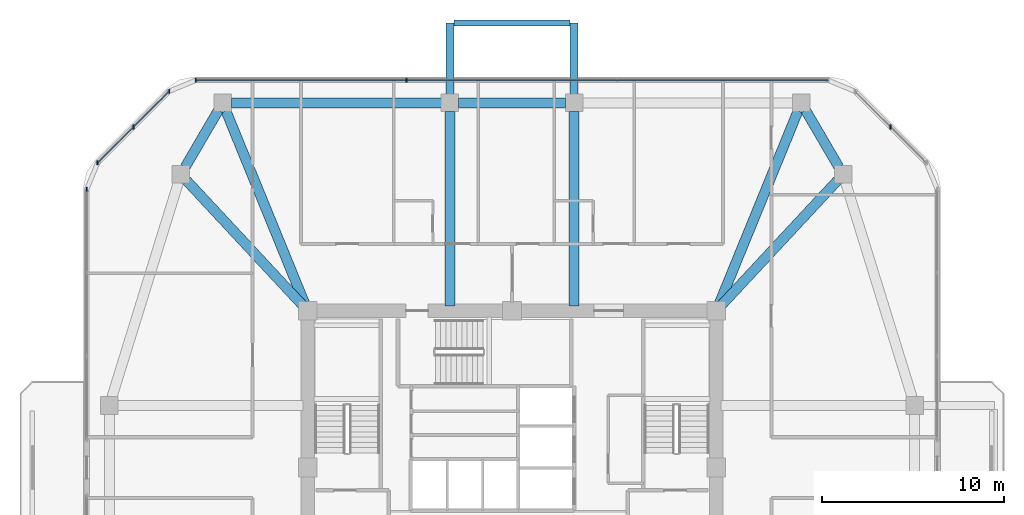
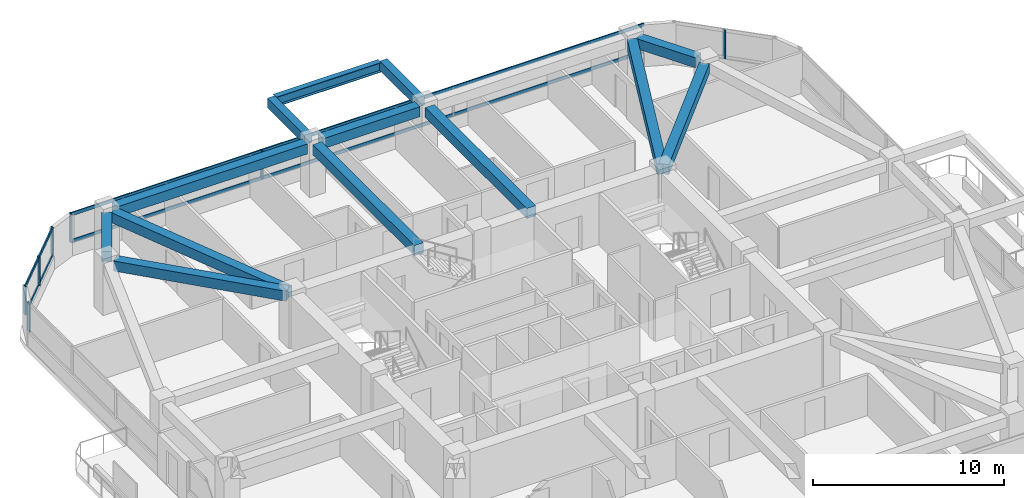
# One storey, part 5 of 13: 13 beams, 11 members, 4 elements without a shape of their own.
"""IFC4 building model written with IfcOpenShell, lengths in metres."""

from ifc_helpers import new_model, si_unit, derived_unit, direction, frame, origin, origin_2d, place, context, subcontext, project, spatial, rectangle, i_section, extrude, material, material_profile, profile_set, type_object, element, aggregate, save


model = new_model("IFC4")

# Units and contexts
model_context = context("Model", 3, precision=1e-05, world=origin(), true_north=direction((0.0, 1.0)))
body_context = subcontext(model_context, "Body", "Model", "MODEL_VIEW")
ifc_project = project(units=[si_unit("LENGTHUNIT", "METRE"), si_unit("AREAUNIT", "SQUARE_METRE"), si_unit("VOLUMEUNIT", "CUBIC_METRE"), si_unit("PLANEANGLEUNIT", "RADIAN"), si_unit("MASSUNIT", "GRAM", prefix="KILO"), derived_unit("THERMALTRANSMITTANCEUNIT", [(si_unit("POWERUNIT", "WATT"), 1), (si_unit("LENGTHUNIT", "METRE"), -2), (si_unit("THERMODYNAMICTEMPERATUREUNIT", "KELVIN"), -1)])], contexts=[model_context])

# Site, building, storey
site_placement = place(None, origin())
site = spatial("IfcSite", under=ifc_project, at=site_placement, CompositionType="ELEMENT")
building_placement = place(site_placement, origin())
building = spatial("IfcBuilding", under=site, at=building_placement, Name="Koralith Skygarden Medical Center", CompositionType="ELEMENT")
storey_placement = place(building_placement, frame((0.0, 0.0, 142.02001953125)))
storey = spatial("IfcBuildingStorey", under=building, at=storey_placement, Name="L36", CompositionType="ELEMENT", Elevation=142.02001953125)

# Curtain wall, member
ifc_material_1 = material(Name="Clear Laminated Glass", Category="glass")
curtain_wall_type = type_object("IfcCurtainWallType", Name="CW-4 Zone 3 Waist High-Wind Curtain Wall", PredefinedType="NOTDEFINED", material=ifc_material_1)
curtain_wall_1_placement = place(storey_placement, origin())
curtain_wall_1 = element("IfcCurtainWall", 1, at=curtain_wall_1_placement, inside=storey, type_object=curtain_wall_type, Name="Curtain Wall CW-L36-NE", PredefinedType="NOTDEFINED")
ifc_material_2 = material(Name="Aluminium 6063-T6", Category="aluminium")
ifc_material_profile_1 = material_profile(ifc_material_2, rectangle(XDim=0.076904296875, YDim=0.22998046875, at=origin_2d()), Name="MUL77X230")
ifc_profile_set_1 = profile_set([ifc_material_profile_1], Name="Aluminium 6063-T6")
member_type_1 = type_object("IfcMemberType", Name="CW-4 Extruded Mullion 77x230", PredefinedType="MULLION", material=ifc_profile_set_1)
member_1_placement = place(storey_placement, frame((57.741943359375, 44.556884765625, 0.85009765625), z_axis=(0.0, 0.0, 1.0), x_axis=(1.0, 0.0, 0.0)))
member_1 = element("IfcMember", 2, at=member_1_placement, type_object=member_type_1, Name="CW-L36-NE Mullion 2", PredefinedType="MULLION", context=body_context, shape_type="SweptSolid", body=[
    extrude(rectangle(XDim=0.076904296875, YDim=0.22998046875, at=origin_2d()), origin(), (0.0, 0.0, 1.0), 1.81982421875),
])
aggregate(curtain_wall_1, [member_1])

# Curtain wall, members
curtain_wall_2_placement = place(storey_placement, origin())
curtain_wall_2 = element("IfcCurtainWall", 3, at=curtain_wall_2_placement, inside=storey, type_object=curtain_wall_type, Name="Curtain Wall CW-L36-N", PredefinedType="NOTDEFINED")
member_2_placement = place(storey_placement, frame((31.22412109375, 47.1201171875, 0.85009765625), z_axis=(0.0, 0.0, 1.0), x_axis=(1.0, 0.0, 0.0)))
member_2 = element("IfcMember", 4, at=member_2_placement, type_object=member_type_1, Name="CW-L36-N Mullion 3", PredefinedType="MULLION", context=body_context, shape_type="SweptSolid", body=[
    extrude(rectangle(XDim=0.076904296875, YDim=0.22998046875, at=origin_2d()), origin(), (0.0, 0.0, 1.0), 1.81982421875),
])
member_3_placement = place(storey_placement, frame((19.6708984375, 47.1201171875, 0.85009765625), z_axis=(0.0, 0.0, 1.0), x_axis=(1.0, 0.0, 0.0)))
member_3 = element("IfcMember", 5, at=member_3_placement, type_object=member_type_1, Name="CW-L36-N Mullion 4", PredefinedType="MULLION", context=body_context, shape_type="SweptSolid", body=[
    extrude(rectangle(XDim=0.076904296875, YDim=0.22998046875, at=origin_2d()), origin(), (0.0, 0.0, 1.0), 1.81982421875),
])

curtain_wall_3_placement = place(storey_placement, origin())
curtain_wall_3 = element("IfcCurtainWall", 6, at=curtain_wall_3_placement, inside=storey, type_object=curtain_wall_type, Name="Curtain Wall CW-L36-NW", PredefinedType="NOTDEFINED")
member_4_placement = place(storey_placement, frame((18.219970703125, 46.51904296875, 0.85009765625), z_axis=(0.0, 0.0, 1.0), x_axis=(1.0, 0.0, 0.0)))
member_4 = element("IfcMember", 7, at=member_4_placement, type_object=member_type_1, Name="CW-L36-NW Mullion 1", PredefinedType="MULLION", context=body_context, shape_type="SweptSolid", body=[
    extrude(rectangle(XDim=0.076904296875, YDim=0.22998046875, at=origin_2d()), origin(), (0.0, 0.0, 1.0), 1.81982421875),
])
member_5_placement = place(storey_placement, frame((16.258056640625, 44.556884765625, 0.85009765625), z_axis=(0.0, 0.0, 1.0), x_axis=(1.0, 0.0, 0.0)))
member_5 = element("IfcMember", 8, at=member_5_placement, type_object=member_type_1, Name="CW-L36-NW Mullion 2", PredefinedType="MULLION", context=body_context, shape_type="SweptSolid", body=[
    extrude(rectangle(XDim=0.076904296875, YDim=0.22998046875, at=origin_2d()), origin(), (0.0, 0.0, 1.0), 1.81982421875),
])
member_6_placement = place(storey_placement, frame((14.297119140625, 42.595947265625, 0.85009765625), z_axis=(0.0, 0.0, 1.0), x_axis=(1.0, 0.0, 0.0)))
member_6 = element("IfcMember", 9, at=member_6_placement, type_object=member_type_1, Name="CW-L36-NW Mullion 3", PredefinedType="MULLION", context=body_context, shape_type="SweptSolid", body=[
    extrude(rectangle(XDim=0.076904296875, YDim=0.22998046875, at=origin_2d()), origin(), (0.0, 0.0, 1.0), 1.81982421875),
])

# Curtain wall, member
curtain_wall_4_placement = place(storey_placement, origin())
curtain_wall_4 = element("IfcCurtainWall", 10, at=curtain_wall_4_placement, inside=storey, type_object=curtain_wall_type, Name="Curtain Wall CW-L36-W-L", PredefinedType="NOTDEFINED")
member_7_placement = place(storey_placement, frame((13.696044921875, 41.14501953125, 0.85009765625), z_axis=(0.0, 0.0, 1.0), x_axis=(1.0, 0.0, 0.0)))
member_7 = element("IfcMember", 11, at=member_7_placement, type_object=member_type_1, Name="CW-L36-W-L Mullion 1", PredefinedType="MULLION", context=body_context, shape_type="SweptSolid", body=[
    extrude(rectangle(XDim=0.076904296875, YDim=0.22998046875, at=origin_2d()), origin(), (0.0, 0.0, 1.0), 1.81982421875),
])
aggregate(curtain_wall_4, [member_7])

# Member
ifc_material_profile_2 = material_profile(ifc_material_2, rectangle(XDim=0.072021484375, YDim=0.20703125, at=origin_2d()), Name="TRN72X207")
ifc_profile_set_2 = profile_set([ifc_material_profile_2], Name="Aluminium 6063-T6")
member_type_2 = type_object("IfcMemberType", Name="CW-4 Thermal Transom 72x207", PredefinedType="USERDEFINED", material=ifc_profile_set_2)
member_8_placement = place(storey_placement, frame((54.3291015625, 47.1201171875, 0.89990234375), z_axis=(-1.0, 0.0, 0.0), x_axis=(0.0, -1.0, 0.0)))
member_8 = element("IfcMember", 12, at=member_8_placement, type_object=member_type_2, Name="CW-L36-N Transom 1", ObjectType="TRANSOM", PredefinedType="USERDEFINED", context=body_context, shape_type="SweptSolid", body=[
    extrude(rectangle(XDim=0.072021484375, YDim=0.20703125, at=origin_2d()), origin(), (0.0, 0.0, 1.0), 34.658203125),
])

member_9_placement = place(storey_placement, frame((54.3291015625, 47.1201171875, 2.619873046875), z_axis=(-1.0, 0.0, 0.0), x_axis=(0.0, -1.0, 0.0)))
member_9 = element("IfcMember", 13, at=member_9_placement, type_object=member_type_2, Name="CW-L36-N Transom 2", ObjectType="TRANSOM", PredefinedType="USERDEFINED", context=body_context, shape_type="SweptSolid", body=[
    extrude(rectangle(XDim=0.072021484375, YDim=0.20703125, at=origin_2d()), origin(), (0.0, 0.0, 1.0), 34.658203125),
])

aggregate(curtain_wall_2, [member_2, member_3, member_8, member_9])

member_10_placement = place(storey_placement, frame((18.219970703125, 46.51904296875, 0.89990234375), z_axis=(-0.707084777957, -0.707128783731, 0.0), x_axis=(0.707128783731, -0.707084777957, 0.0)))
member_10 = element("IfcMember", 14, at=member_10_placement, type_object=member_type_2, Name="CW-L36-NW Transom 1", ObjectType="TRANSOM", PredefinedType="USERDEFINED", context=body_context, shape_type="SweptSolid", body=[
    extrude(rectangle(XDim=0.072021484375, YDim=0.20703125, at=origin_2d()), origin(), (0.0, 0.0, 1.0), 5.5478515625),
])

member_11_placement = place(storey_placement, frame((18.219970703125, 46.51904296875, 2.619873046875), z_axis=(-0.707084777957, -0.707128783731, 0.0), x_axis=(0.707128783731, -0.707084777957, 0.0)))
member_11 = element("IfcMember", 15, at=member_11_placement, type_object=member_type_2, Name="CW-L36-NW Transom 2", ObjectType="TRANSOM", PredefinedType="USERDEFINED", context=body_context, shape_type="SweptSolid", body=[
    extrude(rectangle(XDim=0.072021484375, YDim=0.20703125, at=origin_2d()), origin(), (0.0, 0.0, 1.0), 5.5478515625),
])

aggregate(curtain_wall_3, [member_4, member_5, member_6, member_10, member_11])

# Beams
ifc_material_3 = material(Name="Steel ASTM A992 Grade 50", Category="steel")
ifc_material_profile_3 = material_profile(ifc_material_3, i_section(OverallWidth=0.326904296875, OverallDepth=0.6220703125, WebThickness=0.015380859375, FlangeThickness=0.0244140625, at=origin_2d()), Name="W24X131")
ifc_profile_set_3 = profile_set([ifc_material_profile_3], Name="Steel ASTM A992 Grade 50")
beam_type_1 = type_object("IfcBeamType", Name="Cantilever Tie Beam W24X131", PredefinedType="BEAM", material=ifc_profile_set_3)
beam_1_placement = place(storey_placement, frame((33.820068359375, 50.260009765625, 3.029052734375), z_axis=(1.0, 0.0, 0.0), x_axis=(0.0, 1.0, 0.0)))
element("IfcBeam", 16, at=beam_1_placement, inside=storey, type_object=beam_type_1, Name="L37 N Balcony Tip Tie Beam", PredefinedType="BEAM", context=body_context, shape_type="SweptSolid", body=[
    extrude(i_section(OverallWidth=0.326904296875, OverallDepth=0.6220703125, WebThickness=0.015380859375, FlangeThickness=0.0244140625, at=origin_2d()), origin(), (0.0, 0.0, 1.0), 6.35986328125),
])
ifc_material_4 = material(Name="Concrete C45/55", Category="concrete")
ifc_material_profile_4 = material_profile(ifc_material_4, rectangle(XDim=0.449951171875, YDim=0.60009765625, at=origin_2d()), Name="RCB450X600")
ifc_profile_set_4 = profile_set([ifc_material_profile_4], Name="Concrete C45/55")
beam_type_2 = type_object("IfcBeamType", Name="Planted Balcony Cantilever Beam RCB450X600", PredefinedType="BEAM", material=ifc_profile_set_4)
for number, where, z_axis, x_axis, name in (
    (17, (33.60009765625, 46.340087890625, 3.0400390625), (0.0, 1.0, 0.0), (-1.0, 0.0, 0.0), "L37 N Balcony Cantilever Beam A"),
    (18, (40.39990234375, 46.340087890625, 3.0400390625), (0.0, 1.0, 0.0), (-1.0, 0.0, 0.0), "L37 N Balcony Cantilever Beam B"),
):
    element("IfcBeam", number, at=place(storey_placement, frame(where, z_axis=z_axis, x_axis=x_axis)), inside=storey, type_object=beam_type_2, Name=name, PredefinedType="BEAM", context=body_context, shape_type="SweptSolid", body=[
        extrude(rectangle(XDim=0.449951171875, YDim=0.60009765625, at=origin_2d()), origin(), (0.0, 0.0, 1.0), 3.919921875),
    ])
ifc_material_profile_5 = material_profile(ifc_material_4, rectangle(XDim=0.550048828125, YDim=0.639892578125, at=origin_2d()), Name="RCB550X640")
ifc_profile_set_5 = profile_set([ifc_material_profile_5], Name="Concrete C45/55")
beam_type_3 = type_object("IfcBeamType", Name="Radial Collector Beam RCB550X640", PredefinedType="BEAM", material=ifc_profile_set_5)
beam_2_placement = place(storey_placement, frame((48.3701171875, 34.68310546875, 3.0), z_axis=(0.681369011591, 0.731940072713, 0.0), x_axis=(-0.731940072713, 0.681369011591, 0.0)))
element("IfcBeam", 19, at=beam_2_placement, inside=storey, type_object=beam_type_3, Name="L36 Radial Collector Beam RB-10", PredefinedType="BEAM", context=body_context, shape_type="SweptSolid", body=[
    extrude(rectangle(XDim=0.550048828125, YDim=0.639892578125, at=origin_2d()), origin(), (0.0, 0.0, 1.0), 9.471923828125),
])
beam_3_placement = place(storey_placement, frame((48.294921875, 34.73095703125, 3.0), z_axis=(0.378344544364, 0.92566484526, 0.0), x_axis=(-0.92566484526, 0.378344544364, 0.0)))
element("IfcBeam", 20, at=beam_3_placement, inside=storey, type_object=beam_type_3, Name="L36 Radial Collector Beam RB-11", PredefinedType="BEAM", context=body_context, shape_type="SweptSolid", body=[
    extrude(rectangle(XDim=0.550048828125, YDim=0.639892578125, at=origin_2d()), origin(), (0.0, 0.0, 1.0), 11.574462890625),
])
for number, where, z_axis, x_axis, name in (
    (21, (40.39990234375, 34.75, 3.0), (0.0, 1.0, 0.0), (-1.0, 0.0, 0.0), "L36 Radial Collector Beam RB-12"),
    (22, (33.60009765625, 34.75, 3.0), (0.0, 1.0, 0.0), (-1.0, 0.0, 0.0), "L36 Radial Collector Beam RB-13"),
):
    element("IfcBeam", number, at=place(storey_placement, frame(where, z_axis=z_axis, x_axis=x_axis)), inside=storey, type_object=beam_type_3, Name=name, PredefinedType="BEAM", context=body_context, shape_type="SweptSolid", body=[
        extrude(rectangle(XDim=0.550048828125, YDim=0.639892578125, at=origin_2d()), origin(), (0.0, 0.0, 1.0), 10.659912109375),
    ])
beam_4_placement = place(storey_placement, frame((25.705078125, 34.73095703125, 3.0), z_axis=(-0.378344544364, 0.92566484526, 0.0), x_axis=(-0.92566484526, -0.378344544364, 0.0)))
element("IfcBeam", 23, at=beam_4_placement, inside=storey, type_object=beam_type_3, Name="L36 Radial Collector Beam RB-14", PredefinedType="BEAM", context=body_context, shape_type="SweptSolid", body=[
    extrude(rectangle(XDim=0.550048828125, YDim=0.639892578125, at=origin_2d()), origin(), (0.0, 0.0, 1.0), 11.574462890625),
])
beam_5_placement = place(storey_placement, frame((25.6298828125, 34.68310546875, 3.0), z_axis=(-0.681369011591, 0.731940072713, 0.0), x_axis=(-0.731940072713, -0.681369011591, 0.0)))
element("IfcBeam", 24, at=beam_5_placement, inside=storey, type_object=beam_type_3, Name="L36 Radial Collector Beam RB-15", PredefinedType="BEAM", context=body_context, shape_type="SweptSolid", body=[
    extrude(rectangle(XDim=0.550048828125, YDim=0.639892578125, at=origin_2d()), origin(), (0.0, 0.0, 1.0), 9.471923828125),
])
ifc_material_profile_6 = material_profile(ifc_material_4, rectangle(XDim=0.550048828125, YDim=0.639892578125, at=origin_2d()), Name="RCB550X640")
ifc_profile_set_6 = profile_set([ifc_material_profile_6], Name="Concrete C45/55")
beam_type_4 = type_object("IfcBeamType", Name="Zone 2-3 Spandrel Beam RCB550X640", PredefinedType="SPANDREL", material=ifc_profile_set_6)
beam_6_placement = place(storey_placement, frame((54.906982421875, 42.365966796875, 3.0), z_axis=(-0.504861391295, 0.863200426077, 0.0), x_axis=(-0.863200426077, -0.504861391295, 0.0)))
element("IfcBeam", 25, at=beam_6_placement, inside=storey, type_object=beam_type_4, Name="L36 Perimeter Spandrel Beam SP-10", PredefinedType="SPANDREL", context=body_context, shape_type="SweptSolid", body=[
    extrude(rectangle(XDim=0.550048828125, YDim=0.639892578125, at=origin_2d()), origin(), (0.0, 0.0, 1.0), 3.600830078125),
])
beam_7_placement = place(storey_placement, frame((39.929931640625, 45.8798828125, 3.0), z_axis=(-1.0, 0.0, 0.0), x_axis=(0.0, -1.0, 0.0)))
element("IfcBeam", 26, at=beam_7_placement, inside=storey, type_object=beam_type_4, Name="L36 Perimeter Spandrel Beam SP-12", PredefinedType="SPANDREL", context=body_context, shape_type="SweptSolid", body=[
    extrude(rectangle(XDim=0.550048828125, YDim=0.639892578125, at=origin_2d()), origin(), (0.0, 0.0, 1.0), 5.85986328125),
])
beam_8_placement = place(storey_placement, frame((33.1298828125, 45.8798828125, 3.0), z_axis=(-1.0, 0.0, 0.0), x_axis=(0.0, -1.0, 0.0)))
element("IfcBeam", 27, at=beam_8_placement, inside=storey, type_object=beam_type_4, Name="L36 Perimeter Spandrel Beam SP-13", PredefinedType="SPANDREL", context=body_context, shape_type="SweptSolid", body=[
    extrude(rectangle(XDim=0.550048828125, YDim=0.639892578125, at=origin_2d()), origin(), (0.0, 0.0, 1.0), 11.511962890625),
])
beam_9_placement = place(storey_placement, frame((20.910888671875, 45.47412109375, 3.0), z_axis=(-0.504861391295, -0.863200426077, 0.0), x_axis=(0.863200426077, -0.504861391295, 0.0)))
element("IfcBeam", 28, at=beam_9_placement, inside=storey, type_object=beam_type_4, Name="L36 Perimeter Spandrel Beam SP-14", PredefinedType="SPANDREL", context=body_context, shape_type="SweptSolid", body=[
    extrude(rectangle(XDim=0.550048828125, YDim=0.639892578125, at=origin_2d()), origin(), (0.0, 0.0, 1.0), 3.600830078125),
])

save(model, "model.ifc")
